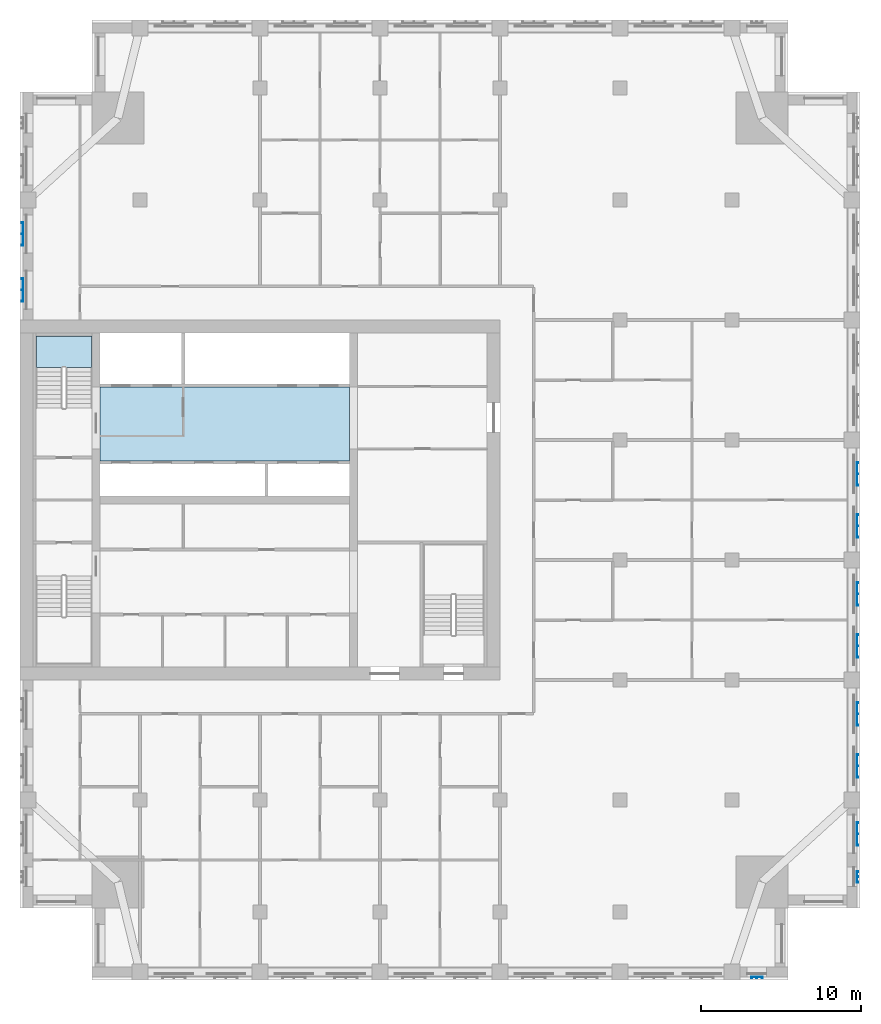
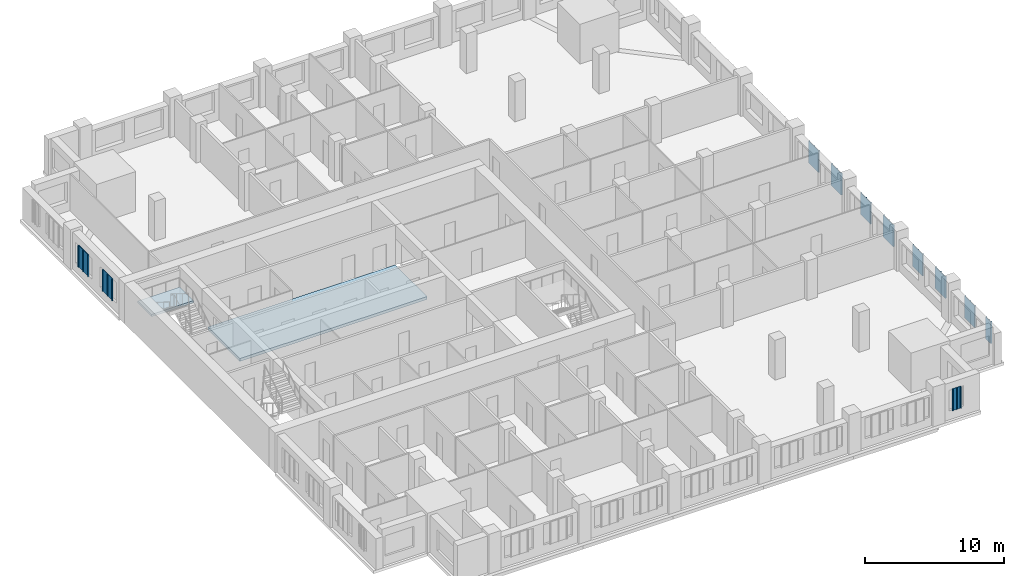
# One storey, part 4 of 14: 11 plates, 2 slabs, 1 element without a shape of its own.
"""IFC4 building model written with IfcOpenShell, lengths in metres."""

from ifc_helpers import new_model, si_unit, direction, frame, origin, place, context, subcontext, project, spatial, polyline, outline, extrude, material, layer, layer_set, type_object, element, aggregate, save


model = new_model("IFC4")

# Units and contexts
model_context = context("Model", 3, precision=1e-05, world=origin(), true_north=direction((0.0, 1.0)))
body_context = subcontext(model_context, "Body", "Model", "MODEL_VIEW")
ifc_project = project(units=[si_unit("LENGTHUNIT", "METRE"), si_unit("AREAUNIT", "SQUARE_METRE"), si_unit("VOLUMEUNIT", "CUBIC_METRE"), si_unit("PLANEANGLEUNIT", "RADIAN"), si_unit("MASSUNIT", "GRAM", prefix="KILO")], contexts=[model_context])

# Site, building, storey
site_placement = place(None, origin())
site = spatial("IfcSite", under=ifc_project, at=site_placement, CompositionType="ELEMENT")
building_placement = place(site_placement, origin())
building = spatial("IfcBuilding", under=site, at=building_placement, Name="Tamorin Gate", CompositionType="ELEMENT")
storey_placement = place(building_placement, frame((0.0, 0.0, 186.199951171875)))
storey = spatial("IfcBuildingStorey", under=building, at=storey_placement, Name="L45", CompositionType="ELEMENT", Elevation=186.199951171875)

# Slab
ifc_material_1 = material(Name="Concrete C40/50", Category="concrete")
ifc_layer_1 = layer(ifc_material_1, 0.25)
ifc_layer_set_1 = layer_set([ifc_layer_1], Name="Core floor slab 250 C40/50")
slab_type_1 = type_object("IfcSlabType", Name="Core floor slab 250 C40/50", PredefinedType="FLOOR", material=ifc_layer_set_1)
slab_1_placement = place(storey_placement, frame((0.0, 0.0, -0.25)))
element("IfcSlab", 1, at=slab_1_placement, inside=storey, type_object=slab_type_1, Name="Core floor L45", PredefinedType="FLOOR", context=body_context, shape_type="SweptSolid", body=[
    extrude(outline(polyline([(50.60009765625, 73.699951171875), (35.0, 73.699951171875), (35.0, 78.300048828125), (50.60009765625, 78.300048828125), (50.60009765625, 73.699951171875)])), origin(), (0.0, 0.0, 1.0), 0.25),
])

# Stair, slab
stair_type = type_object("IfcStairType", Name="Exit stair", PredefinedType="HALF_TURN_STAIR", material=ifc_material_1)
stair_placement = place(storey_placement, origin())
stair = element("IfcStair", 2, at=stair_placement, inside=storey, type_object=stair_type, Name="L45 stair ST2", PredefinedType="HALF_TURN_STAIR")
ifc_layer_2 = layer(ifc_material_1, 0.199951171875)
ifc_layer_set_2 = layer_set([ifc_layer_2], Name="Exit stair landing 200")
slab_type_2 = type_object("IfcSlabType", Name="Exit stair landing 200", PredefinedType="LANDING", material=ifc_layer_set_2)
slab_2_placement = place(storey_placement, frame((0.0, 0.0, 1.550048828125)))
slab_2 = element("IfcSlab", 3, at=slab_2_placement, type_object=slab_type_2, Name="ST2 landing 1", PredefinedType="LANDING", context=body_context, shape_type="SweptSolid", body=[
    extrude(outline(polyline([(34.5, 79.52001953125), (34.5, 81.5), (31.0, 81.5), (31.0, 79.52001953125), (34.5, 79.52001953125)])), origin(), (0.0, 0.0, 1.0), 0.199951171875),
])
aggregate(stair, [slab_2])

# Plates
ifc_material_2 = material(Name="Perforated pale aluminium sheet", Category="aluminium")
ifc_layer_3 = layer(ifc_material_2, 0.0400390625)
ifc_layer_set_3 = layer_set([ifc_layer_3], Name="Pale metal solar screen 1440")
plate_type_1 = type_object("IfcPlateType", Name="Pale metal solar screen 1440", PredefinedType="SHEET", material=ifc_layer_set_3)
plate_1_placement = place(storey_placement, frame((0.0, 0.0, 0.737548828125)))
element("IfcPlate", 4, at=plate_1_placement, inside=storey, type_object=plate_type_1, Name="Perforated solar screen", PredefinedType="SHEET", context=body_context, shape_type="SweptSolid", body=[
    extrude(outline(polyline([(82.340087890625, 49.655029296875), (82.300048828125, 49.655029296875), (82.300048828125, 49.715087890625), (82.300048828125, 50.344970703125), (82.300048828125, 50.405029296875), (82.300048828125, 51.034912109375), (82.300048828125, 51.094970703125), (82.300048828125, 51.094970703125), (82.340087890625, 51.094970703125), (82.340087890625, 51.094970703125), (82.39990234375, 51.094970703125), (82.39990234375, 51.034912109375), (82.340087890625, 51.034912109375), (82.340087890625, 50.405029296875), (82.39990234375, 50.405029296875), (82.39990234375, 50.344970703125), (82.340087890625, 50.344970703125), (82.340087890625, 49.715087890625), (82.39990234375, 49.715087890625), (82.39990234375, 49.655029296875), (82.340087890625, 49.655029296875)])), origin(), (0.0, 0.0, 1.0), 1.925048828125),
])
plate_2_placement = place(storey_placement, frame((0.0, 0.0, 0.737548828125)))
element("IfcPlate", 5, at=plate_2_placement, inside=storey, type_object=plate_type_1, Name="Perforated solar screen", PredefinedType="SHEET", context=body_context, shape_type="SweptSolid", body=[
    extrude(outline(polyline([(82.340087890625, 53.905029296875), (82.300048828125, 53.905029296875), (82.300048828125, 53.965087890625), (82.300048828125, 54.594970703125), (82.300048828125, 54.655029296875), (82.300048828125, 55.284912109375), (82.300048828125, 55.344970703125), (82.340087890625, 55.344970703125), (82.39990234375, 55.344970703125), (82.39990234375, 55.284912109375), (82.340087890625, 55.284912109375), (82.340087890625, 54.655029296875), (82.39990234375, 54.655029296875), (82.39990234375, 54.594970703125), (82.340087890625, 54.594970703125), (82.340087890625, 53.965087890625), (82.39990234375, 53.965087890625), (82.39990234375, 53.905029296875), (82.340087890625, 53.905029296875)])), origin(), (0.0, 0.0, 1.0), 1.925048828125),
])
plate_3_placement = place(storey_placement, frame((0.0, 0.0, 0.737548828125)))
element("IfcPlate", 6, at=plate_3_placement, inside=storey, type_object=plate_type_1, Name="Perforated solar screen", PredefinedType="SHEET", context=body_context, shape_type="SweptSolid", body=[
    extrude(outline(polyline([(82.340087890625, 57.155029296875), (82.300048828125, 57.155029296875), (82.300048828125, 57.215087890625), (82.300048828125, 57.844970703125), (82.300048828125, 57.905029296875), (82.300048828125, 58.534912109375), (82.300048828125, 58.594970703125), (82.340087890625, 58.594970703125), (82.39990234375, 58.594970703125), (82.39990234375, 58.534912109375), (82.340087890625, 58.534912109375), (82.340087890625, 57.905029296875), (82.39990234375, 57.905029296875), (82.39990234375, 57.844970703125), (82.340087890625, 57.844970703125), (82.340087890625, 57.215087890625), (82.39990234375, 57.215087890625), (82.39990234375, 57.155029296875), (82.340087890625, 57.155029296875)])), origin(), (0.0, 0.0, 1.0), 1.925048828125),
])
plate_4_placement = place(storey_placement, frame((0.0, 0.0, 0.737548828125)))
element("IfcPlate", 7, at=plate_4_placement, inside=storey, type_object=plate_type_1, Name="Perforated solar screen", PredefinedType="SHEET", context=body_context, shape_type="SweptSolid", body=[
    extrude(outline(polyline([(82.340087890625, 61.405029296875), (82.300048828125, 61.405029296875), (82.300048828125, 61.465087890625), (82.300048828125, 62.094970703125), (82.300048828125, 62.155029296875), (82.300048828125, 62.784912109375), (82.300048828125, 62.844970703125), (82.340087890625, 62.844970703125), (82.39990234375, 62.844970703125), (82.39990234375, 62.784912109375), (82.340087890625, 62.784912109375), (82.340087890625, 62.155029296875), (82.39990234375, 62.155029296875), (82.39990234375, 62.094970703125), (82.340087890625, 62.094970703125), (82.340087890625, 61.465087890625), (82.39990234375, 61.465087890625), (82.39990234375, 61.405029296875), (82.340087890625, 61.405029296875)])), origin(), (0.0, 0.0, 1.0), 1.925048828125),
])
plate_5_placement = place(storey_placement, frame((0.0, 0.0, 0.737548828125)))
element("IfcPlate", 8, at=plate_5_placement, inside=storey, type_object=plate_type_1, Name="Perforated solar screen", PredefinedType="SHEET", context=body_context, shape_type="SweptSolid", body=[
    extrude(outline(polyline([(82.340087890625, 64.655029296875), (82.300048828125, 64.655029296875), (82.300048828125, 64.715087890625), (82.300048828125, 65.344970703125), (82.300048828125, 65.405029296875), (82.300048828125, 66.034912109375), (82.300048828125, 66.094970703125), (82.340087890625, 66.094970703125), (82.39990234375, 66.094970703125), (82.39990234375, 66.034912109375), (82.340087890625, 66.034912109375), (82.340087890625, 65.405029296875), (82.39990234375, 65.405029296875), (82.39990234375, 65.344970703125), (82.340087890625, 65.344970703125), (82.340087890625, 64.715087890625), (82.39990234375, 64.715087890625), (82.39990234375, 64.655029296875), (82.340087890625, 64.655029296875)])), origin(), (0.0, 0.0, 1.0), 1.925048828125),
])
plate_6_placement = place(storey_placement, frame((0.0, 0.0, 0.737548828125)))
element("IfcPlate", 9, at=plate_6_placement, inside=storey, type_object=plate_type_1, Name="Perforated solar screen", PredefinedType="SHEET", context=body_context, shape_type="SweptSolid", body=[
    extrude(outline(polyline([(82.340087890625, 68.905029296875), (82.300048828125, 68.905029296875), (82.300048828125, 68.965087890625), (82.300048828125, 69.594970703125), (82.300048828125, 69.655029296875), (82.300048828125, 70.284912109375), (82.300048828125, 70.344970703125), (82.340087890625, 70.344970703125), (82.39990234375, 70.344970703125), (82.39990234375, 70.284912109375), (82.340087890625, 70.284912109375), (82.340087890625, 69.655029296875), (82.39990234375, 69.655029296875), (82.39990234375, 69.594970703125), (82.340087890625, 69.594970703125), (82.340087890625, 68.965087890625), (82.39990234375, 68.965087890625), (82.39990234375, 68.905029296875), (82.340087890625, 68.905029296875)])), origin(), (0.0, 0.0, 1.0), 1.925048828125),
])
plate_7_placement = place(storey_placement, frame((0.0, 0.0, 0.737548828125)))
element("IfcPlate", 10, at=plate_7_placement, inside=storey, type_object=plate_type_1, Name="Perforated solar screen", PredefinedType="SHEET", context=body_context, shape_type="SweptSolid", body=[
    extrude(outline(polyline([(82.340087890625, 72.155029296875), (82.300048828125, 72.155029296875), (82.300048828125, 72.215087890625), (82.300048828125, 72.844970703125), (82.300048828125, 72.905029296875), (82.300048828125, 73.534912109375), (82.300048828125, 73.594970703125), (82.340087890625, 73.594970703125), (82.39990234375, 73.594970703125), (82.39990234375, 73.534912109375), (82.340087890625, 73.534912109375), (82.340087890625, 72.905029296875), (82.39990234375, 72.905029296875), (82.39990234375, 72.844970703125), (82.340087890625, 72.844970703125), (82.340087890625, 72.215087890625), (82.39990234375, 72.215087890625), (82.39990234375, 72.155029296875), (82.340087890625, 72.155029296875)])), origin(), (0.0, 0.0, 1.0), 1.925048828125),
])
plate_8_placement = place(storey_placement, frame((0.0, 0.0, 0.737548828125)))
element("IfcPlate", 11, at=plate_8_placement, inside=storey, type_object=plate_type_1, Name="Perforated solar screen", PredefinedType="SHEET", context=body_context, shape_type="SweptSolid", body=[
    extrude(outline(polyline([(30.159912109375, 85.094970703125), (30.199951171875, 85.094970703125), (30.199951171875, 85.034912109375), (30.199951171875, 84.405029296875), (30.199951171875, 84.344970703125), (30.199951171875, 83.715087890625), (30.199951171875, 83.655029296875), (30.159912109375, 83.655029296875), (30.10009765625, 83.655029296875), (30.10009765625, 83.715087890625), (30.159912109375, 83.715087890625), (30.159912109375, 84.344970703125), (30.10009765625, 84.344970703125), (30.10009765625, 84.405029296875), (30.159912109375, 84.405029296875), (30.159912109375, 85.034912109375), (30.10009765625, 85.034912109375), (30.10009765625, 85.094970703125), (30.159912109375, 85.094970703125)])), origin(), (0.0, 0.0, 1.0), 1.925048828125),
])
plate_9_placement = place(storey_placement, frame((0.0, 0.0, 0.737548828125)))
element("IfcPlate", 12, at=plate_9_placement, inside=storey, type_object=plate_type_1, Name="Perforated solar screen", PredefinedType="SHEET", context=body_context, shape_type="SweptSolid", body=[
    extrude(outline(polyline([(30.159912109375, 88.594970703125), (30.199951171875, 88.594970703125), (30.199951171875, 88.534912109375), (30.199951171875, 87.905029296875), (30.199951171875, 87.844970703125), (30.199951171875, 87.215087890625), (30.199951171875, 87.155029296875), (30.159912109375, 87.155029296875), (30.10009765625, 87.155029296875), (30.10009765625, 87.215087890625), (30.159912109375, 87.215087890625), (30.159912109375, 87.844970703125), (30.10009765625, 87.844970703125), (30.10009765625, 87.905029296875), (30.159912109375, 87.905029296875), (30.159912109375, 88.534912109375), (30.10009765625, 88.534912109375), (30.10009765625, 88.594970703125), (30.159912109375, 88.594970703125)])), origin(), (0.0, 0.0, 1.0), 1.925048828125),
])
ifc_layer_4 = layer(ifc_material_2, 0.0400390625)
ifc_layer_set_4 = layer_set([ifc_layer_4], Name="Pale metal solar screen 720")
plate_type_2 = type_object("IfcPlateType", Name="Pale metal solar screen 720", PredefinedType="SHEET", material=ifc_layer_set_4)
plate_10_placement = place(storey_placement, frame((0.0, 0.0, 0.737548828125)))
element("IfcPlate", 13, at=plate_10_placement, inside=storey, type_object=plate_type_2, Name="Perforated solar screen", PredefinedType="SHEET", context=body_context, shape_type="SweptSolid", body=[
    extrude(outline(polyline([(75.68994140625, 41.409912109375), (75.68994140625, 41.449951171875), (75.75, 41.449951171875), (76.02001953125, 41.449951171875), (76.080078125, 41.449951171875), (76.35009765625, 41.449951171875), (76.409912109375, 41.449951171875), (76.409912109375, 41.409912109375), (76.409912109375, 41.35009765625), (76.35009765625, 41.35009765625), (76.35009765625, 41.409912109375), (76.080078125, 41.409912109375), (76.080078125, 41.35009765625), (76.02001953125, 41.35009765625), (76.02001953125, 41.409912109375), (75.75, 41.409912109375), (75.75, 41.35009765625), (75.68994140625, 41.35009765625), (75.68994140625, 41.409912109375)])), origin(), (0.0, 0.0, 1.0), 1.925048828125),
])
plate_11_placement = place(storey_placement, frame((0.0, 0.0, 0.737548828125)))
element("IfcPlate", 14, at=plate_11_placement, inside=storey, type_object=plate_type_2, Name="Perforated solar screen", PredefinedType="SHEET", context=body_context, shape_type="SweptSolid", body=[
    extrude(outline(polyline([(82.340087890625, 47.340087890625), (82.300048828125, 47.340087890625), (82.300048828125, 47.39990234375), (82.300048828125, 47.669921875), (82.300048828125, 47.72998046875), (82.300048828125, 48.0), (82.300048828125, 48.06005859375), (82.340087890625, 48.06005859375), (82.39990234375, 48.06005859375), (82.39990234375, 48.0), (82.340087890625, 48.0), (82.340087890625, 47.72998046875), (82.39990234375, 47.72998046875), (82.39990234375, 47.669921875), (82.340087890625, 47.669921875), (82.340087890625, 47.39990234375), (82.39990234375, 47.39990234375), (82.39990234375, 47.340087890625), (82.340087890625, 47.340087890625)])), origin(), (0.0, 0.0, 1.0), 1.925048828125),
])

save(model, "model.ifc")
